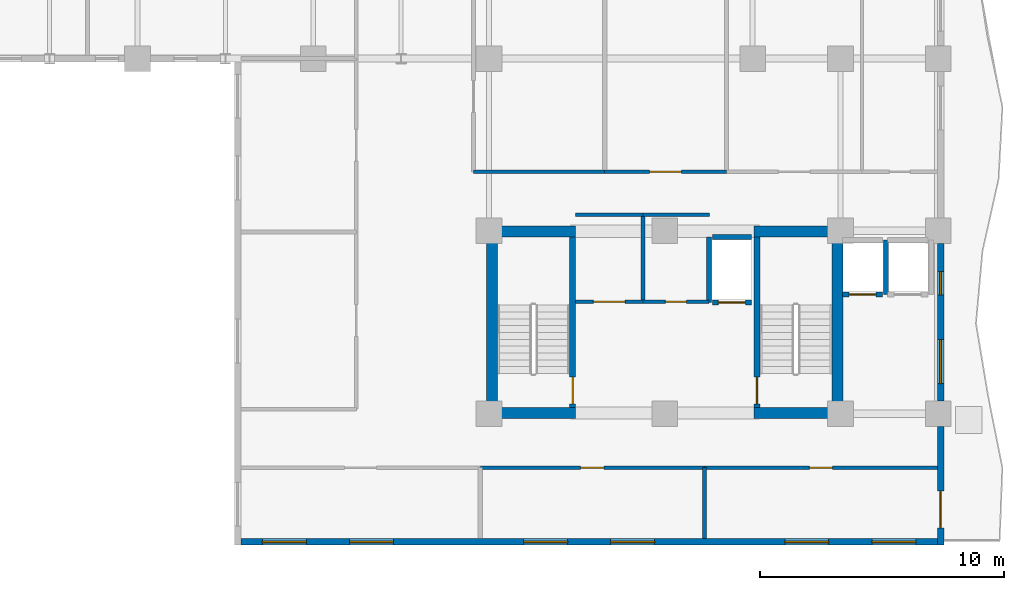
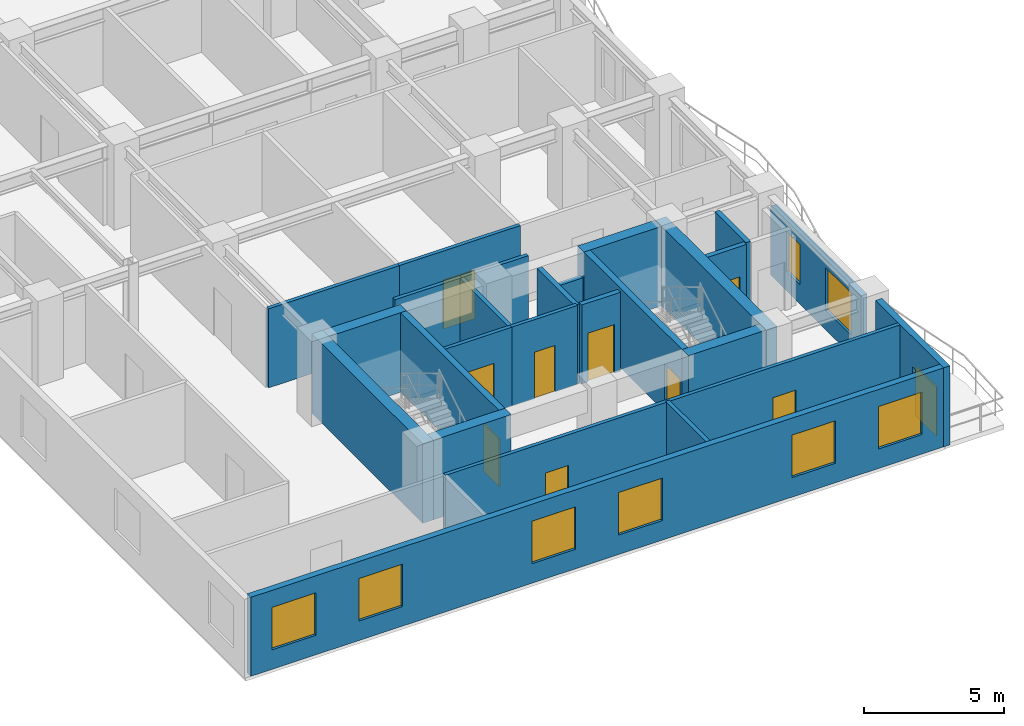
# One storey, part 6 of 13: 26 walls, 10 doors, 8 windows, 18 openings.
"""IFC4 building model written with IfcOpenShell, lengths in metres."""

from ifc_helpers import new_model, si_unit, direction, frame, frame_2d, origin, place, context, subcontext, project, spatial, rectangle, extrude, material, layer, layer_set, type_object, element, fill, save


model = new_model("IFC4")

# Units and contexts
model_context = context("Model", 3, precision=1e-05, world=origin(), true_north=direction((0.0, 1.0)))
body_context = subcontext(model_context, "Body", "Model", "MODEL_VIEW")
ifc_project = project(units=[si_unit("LENGTHUNIT", "METRE"), si_unit("AREAUNIT", "SQUARE_METRE"), si_unit("VOLUMEUNIT", "CUBIC_METRE"), si_unit("PLANEANGLEUNIT", "RADIAN"), si_unit("MASSUNIT", "GRAM", prefix="KILO")], contexts=[model_context])

# Site, building, storey
site_placement = place(None, origin())
site = spatial("IfcSite", under=ifc_project, at=site_placement, CompositionType="ELEMENT")
building_placement = place(site_placement, origin())
building = spatial("IfcBuilding", under=site, at=building_placement, Name="Kaliganga Portal Commons", CompositionType="ELEMENT")
storey_placement = place(building_placement, frame((0.0, 0.0, 162.39990234375)))
storey = spatial("IfcBuildingStorey", under=building, at=storey_placement, Name="L41", CompositionType="ELEMENT", Elevation=162.39990234375)

# Walls
ifc_material_1 = material(Name="Concrete C60/75", Category="concrete")
ifc_layer_1 = layer(ifc_material_1, 0.449951171875)
ifc_layer_set_1 = layer_set([ifc_layer_1], Name="Concrete C60/75")
wall_type_1 = type_object("IfcWallType", Name="WL-CORE-450", PredefinedType="SHEAR", material=ifc_layer_set_1)
for number, where, z_axis, x_axis, name in (
    (1, (36.125, 6.85009765625, 0.0), (0.0, 0.0, 1.0), (0.0, 1.0, 0.0), "Core B West Shear Wall L41"),
    (2, (50.27490234375, 6.85009765625, 0.0), (0.0, 0.0, 1.0), (0.0, 1.0, 0.0), "Core B East Shear Wall L41"),
):
    element("IfcWall", number, at=place(storey_placement, frame(where, z_axis=z_axis, x_axis=x_axis)), inside=storey, type_object=wall_type_1, Name=name, PredefinedType="SHEAR", context=body_context, shape_type="SweptSolid", body=[
        extrude(rectangle(XDim=7.89990234375, YDim=0.449951171875, at=frame_2d((3.949951171875, 0.0))), origin(), (0.0, 0.0, 1.0), 3.460205078125),
    ])
for number, where, z_axis, x_axis, name in (
    (3, (36.35009765625, 7.074951171875, 0.0), (0.0, 0.0, 1.0), (1.0, 0.0, 0.0), "Core B S-West Shear Wall L41"),
    (4, (46.85009765625, 7.074951171875, 0.0), (0.0, 0.0, 1.0), (1.0, 0.0, 0.0), "Core B S-East Shear Wall L41"),
    (5, (36.35009765625, 14.52490234375, 0.0), (0.0, 0.0, 1.0), (1.0, 0.0, 0.0), "Core B N-West Shear Wall L41"),
    (6, (46.85009765625, 14.52490234375, 0.0), (0.0, 0.0, 1.0), (1.0, 0.0, 0.0), "Core B N-East Shear Wall L41"),
):
    element("IfcWall", number, at=place(storey_placement, frame(where, z_axis=z_axis, x_axis=x_axis)), inside=storey, type_object=wall_type_1, Name=name, PredefinedType="SHEAR", context=body_context, shape_type="SweptSolid", body=[
        extrude(rectangle(XDim=3.199951171875, YDim=0.449951171875, at=frame_2d((1.60009765625, 0.0))), origin(), (0.0, 0.0, 1.0), 3.460205078125),
    ])

# Wall, openings, windows
ifc_material_2 = material(Name="Insulated Aluminium-Clad Spandrel Assembly", Category="aluminium")
ifc_layer_2 = layer(ifc_material_2, 0.260009765625)
ifc_layer_set_2 = layer_set([ifc_layer_2], Name="Insulated Aluminium-Clad Spandrel Assembly")
wall_type_2 = type_object("IfcWallType", Name="WL-EXT-SPAND-260", PredefinedType="STANDARD", material=ifc_layer_set_2)
wall_1_placement = place(storey_placement, frame((54.364990234375, 1.800048828125, 0.0), z_axis=(0.0, 0.0, 1.0), x_axis=(-1.0, 0.0, 0.0)))
wall_1 = element("IfcWall", 7, at=wall_1_placement, inside=storey, type_object=wall_type_2, Name="Exterior Envelope Wall L41 P1-E00-S1", PredefinedType="STANDARD", context=body_context, shape_type="SweptSolid", body=[
    extrude(rectangle(XDim=28.530029296875, YDim=0.260009765625, at=frame_2d((14.26513671875, 0.0))), origin(), (0.0, 0.0, 1.0), 3.440185546875),
])
opening_1_placement = place(wall_1_placement, frame((0.883056640625, 0.0, 0.85009765625)))
opening_1 = element("IfcOpeningElement", 8, at=opening_1_placement, cuts=wall_1, Name="Opening W-01", PredefinedType="OPENING", context=body_context, shape_type="SweptSolid", body=[
    extrude(rectangle(XDim=1.800048828125, YDim=1.85009765625, at=frame_2d((0.89990234375, 0.925048828125))), frame((0.0, 0.14013671875, 0.0), z_axis=(0.0, -1.0, 0.0), x_axis=(1.0, 0.0, 0.0)), (0.0, 0.0, 1.0), 0.280029296875),
])
opening_2_placement = place(wall_1_placement, frame((4.449462890625, 0.0, 0.85009765625)))
opening_2 = element("IfcOpeningElement", 9, at=opening_2_placement, cuts=wall_1, Name="Opening W-01", PredefinedType="OPENING", context=body_context, shape_type="SweptSolid", body=[
    extrude(rectangle(XDim=1.800048828125, YDim=1.85009765625, at=frame_2d((0.89990234375, 0.925048828125))), frame((0.0, 0.14013671875, 0.0), z_axis=(0.0, -1.0, 0.0), x_axis=(1.0, 0.0, 0.0)), (0.0, 0.0, 1.0), 0.280029296875),
])
opening_3_placement = place(wall_1_placement, frame((11.581787109375, 0.0, 0.85009765625)))
opening_3 = element("IfcOpeningElement", 10, at=opening_3_placement, cuts=wall_1, Name="Opening W-01", PredefinedType="OPENING", context=body_context, shape_type="SweptSolid", body=[
    extrude(rectangle(XDim=1.800048828125, YDim=1.85009765625, at=frame_2d((0.89990234375, 0.925048828125))), frame((0.0, 0.14013671875, 0.0), z_axis=(0.0, -1.0, 0.0), x_axis=(1.0, 0.0, 0.0)), (0.0, 0.0, 1.0), 0.280029296875),
])
opening_4_placement = place(wall_1_placement, frame((15.148193359375, 0.0, 0.85009765625)))
opening_4 = element("IfcOpeningElement", 11, at=opening_4_placement, cuts=wall_1, Name="Opening W-01", PredefinedType="OPENING", context=body_context, shape_type="SweptSolid", body=[
    extrude(rectangle(XDim=1.800048828125, YDim=1.85009765625, at=frame_2d((0.89990234375, 0.925048828125))), frame((0.0, 0.14013671875, 0.0), z_axis=(0.0, -1.0, 0.0), x_axis=(1.0, 0.0, 0.0)), (0.0, 0.0, 1.0), 0.280029296875),
])
opening_5_placement = place(wall_1_placement, frame((22.280517578125, 0.0, 0.85009765625)))
opening_5 = element("IfcOpeningElement", 12, at=opening_5_placement, cuts=wall_1, Name="Opening W-01", PredefinedType="OPENING", context=body_context, shape_type="SweptSolid", body=[
    extrude(rectangle(XDim=1.800048828125, YDim=1.85009765625, at=frame_2d((0.89990234375, 0.925048828125))), frame((0.0, 0.14013671875, 0.0), z_axis=(0.0, -1.0, 0.0), x_axis=(1.0, 0.0, 0.0)), (0.0, 0.0, 1.0), 0.280029296875),
])
opening_6_placement = place(wall_1_placement, frame((25.846923828125, 0.0, 0.85009765625)))
opening_6 = element("IfcOpeningElement", 13, at=opening_6_placement, cuts=wall_1, Name="Opening W-01", PredefinedType="OPENING", context=body_context, shape_type="SweptSolid", body=[
    extrude(rectangle(XDim=1.800048828125, YDim=1.85009765625, at=frame_2d((0.89990234375, 0.925048828125))), frame((0.0, 0.14013671875, 0.0), z_axis=(0.0, -1.0, 0.0), x_axis=(1.0, 0.0, 0.0)), (0.0, 0.0, 1.0), 0.280029296875),
])
ifc_material_3 = material(Name="Thermally Broken Aluminium and Low-E Double Glazing", Category="aluminium")
window_type_1 = type_object("IfcWindowType", Name="WIN-STD-1800", PartitioningType="DOUBLE_PANEL_VERTICAL", PredefinedType="WINDOW", material=ifc_material_3)
window_1_placement = place(opening_1_placement, origin())
window_1 = element("IfcWindow", 14, at=window_1_placement, inside=storey, type_object=window_type_1, Name="Facade Window L41-P1E00S1-00", OverallHeight=1.85009765625, OverallWidth=1.800048828125, PartitioningType="SINGLE_PANEL", PredefinedType="WINDOW", context=body_context, shape_type="SweptSolid", body=[
    extrude(rectangle(XDim=1.800048828125, YDim=1.85009765625, at=frame_2d((0.89990234375, 0.925048828125))), frame((0.0, 0.030029296875, 0.0), z_axis=(0.0, -1.0, 0.0), x_axis=(1.0, 0.0, 0.0)), (0.0, 0.0, 1.0), 0.06005859375),
])
fill(opening_1, window_1)
window_2_placement = place(opening_2_placement, origin())
window_2 = element("IfcWindow", 15, at=window_2_placement, inside=storey, type_object=window_type_1, Name="Facade Window L41-P1E00S1-01", OverallHeight=1.85009765625, OverallWidth=1.800048828125, PartitioningType="SINGLE_PANEL", PredefinedType="WINDOW", context=body_context, shape_type="SweptSolid", body=[
    extrude(rectangle(XDim=1.800048828125, YDim=1.85009765625, at=frame_2d((0.89990234375, 0.925048828125))), frame((0.0, 0.030029296875, 0.0), z_axis=(0.0, -1.0, 0.0), x_axis=(1.0, 0.0, 0.0)), (0.0, 0.0, 1.0), 0.06005859375),
])
fill(opening_2, window_2)
window_3_placement = place(opening_3_placement, origin())
window_3 = element("IfcWindow", 16, at=window_3_placement, inside=storey, type_object=window_type_1, Name="Facade Window L41-P1E00S1-03", OverallHeight=1.85009765625, OverallWidth=1.800048828125, PartitioningType="SINGLE_PANEL", PredefinedType="WINDOW", context=body_context, shape_type="SweptSolid", body=[
    extrude(rectangle(XDim=1.800048828125, YDim=1.85009765625, at=frame_2d((0.89990234375, 0.925048828125))), frame((0.0, 0.030029296875, 0.0), z_axis=(0.0, -1.0, 0.0), x_axis=(1.0, 0.0, 0.0)), (0.0, 0.0, 1.0), 0.06005859375),
])
fill(opening_3, window_3)
window_4_placement = place(opening_4_placement, origin())
window_4 = element("IfcWindow", 17, at=window_4_placement, inside=storey, type_object=window_type_1, Name="Facade Window L41-P1E00S1-04", OverallHeight=1.85009765625, OverallWidth=1.800048828125, PartitioningType="SINGLE_PANEL", PredefinedType="WINDOW", context=body_context, shape_type="SweptSolid", body=[
    extrude(rectangle(XDim=1.800048828125, YDim=1.85009765625, at=frame_2d((0.89990234375, 0.925048828125))), frame((0.0, 0.030029296875, 0.0), z_axis=(0.0, -1.0, 0.0), x_axis=(1.0, 0.0, 0.0)), (0.0, 0.0, 1.0), 0.06005859375),
])
fill(opening_4, window_4)
window_5_placement = place(opening_5_placement, origin())
window_5 = element("IfcWindow", 18, at=window_5_placement, inside=storey, type_object=window_type_1, Name="Facade Window L41-P1E00S1-06", OverallHeight=1.85009765625, OverallWidth=1.800048828125, PartitioningType="SINGLE_PANEL", PredefinedType="WINDOW", context=body_context, shape_type="SweptSolid", body=[
    extrude(rectangle(XDim=1.800048828125, YDim=1.85009765625, at=frame_2d((0.89990234375, 0.925048828125))), frame((0.0, 0.030029296875, 0.0), z_axis=(0.0, -1.0, 0.0), x_axis=(1.0, 0.0, 0.0)), (0.0, 0.0, 1.0), 0.06005859375),
])
fill(opening_5, window_5)
window_6_placement = place(opening_6_placement, origin())
window_6 = element("IfcWindow", 19, at=window_6_placement, inside=storey, type_object=window_type_1, Name="Facade Window L41-P1E00S1-07", OverallHeight=1.85009765625, OverallWidth=1.800048828125, PartitioningType="SINGLE_PANEL", PredefinedType="WINDOW", context=body_context, shape_type="SweptSolid", body=[
    extrude(rectangle(XDim=1.800048828125, YDim=1.85009765625, at=frame_2d((0.89990234375, 0.925048828125))), frame((0.0, 0.030029296875, 0.0), z_axis=(0.0, -1.0, 0.0), x_axis=(1.0, 0.0, 0.0)), (0.0, 0.0, 1.0), 0.06005859375),
])
fill(opening_6, window_6)

# Wall, opening, door
wall_2_placement = place(storey_placement, frame((54.5, 6.52392578125, 0.0), z_axis=(0.0, 0.0, 1.0), x_axis=(0.0, -1.0, 0.0)))
wall_2 = element("IfcWall", 20, at=wall_2_placement, inside=storey, type_object=wall_type_2, Name="Exterior Envelope Wall L41 P1-E01-S1", PredefinedType="STANDARD", context=body_context, shape_type="SweptSolid", body=[
    extrude(rectangle(XDim=4.85400390625, YDim=0.260009765625, at=frame_2d((2.427001953125, 0.0))), origin(), (0.0, 0.0, 1.0), 3.440185546875),
])
opening_7_placement = place(wall_2_placement, frame((2.64794921875, 0.0, 0.0)))
opening_7 = element("IfcOpeningElement", 21, at=opening_7_placement, cuts=wall_2, Name="Opening BD-01", PredefinedType="OPENING", context=body_context, shape_type="SweptSolid", body=[
    extrude(rectangle(XDim=1.5, YDim=2.14990234375, at=frame_2d((0.75, 1.074951171875))), frame((0.0, 0.14013671875, 0.0), z_axis=(0.0, -1.0, 0.0), x_axis=(1.0, 0.0, 0.0)), (0.0, 0.0, 1.0), 0.280029296875),
])
ifc_material_4 = material(Name="Anodized Aluminium and Laminated Safety Glass", Category="aluminium")
door_type_1 = type_object("IfcDoorType", Name="DR-BALC-1500", OperationType="SLIDING_TO_LEFT", PredefinedType="DOOR", material=ifc_material_4)
door_1_placement = place(opening_7_placement, origin())
door_1 = element("IfcDoor", 22, at=door_1_placement, inside=storey, type_object=door_type_1, Name="Balcony Sliding Door L41 balc_east", OperationType="SLIDING_TO_LEFT", OverallHeight=2.14990234375, OverallWidth=1.5, PredefinedType="DOOR", context=body_context, shape_type="SweptSolid", body=[
    extrude(rectangle(XDim=1.5, YDim=2.14990234375, at=frame_2d((0.75, 1.074951171875))), frame((0.0, 0.02490234375, 0.0), z_axis=(0.0, -1.0, 0.0), x_axis=(1.0, 0.0, 0.0)), (0.0, 0.0, 1.0), 0.050048828125),
])
fill(opening_7, door_1)

# Wall, openings, windows
wall_3_placement = place(storey_placement, frame((54.5, 14.02392578125, 0.0), z_axis=(0.0, 0.0, 1.0), x_axis=(0.0, -1.0, 0.0)))
wall_3 = element("IfcWall", 23, at=wall_3_placement, inside=storey, type_object=wall_type_2, Name="Exterior Envelope Wall L41 P1-E01-S2", PredefinedType="STANDARD", context=body_context, shape_type="SweptSolid", body=[
    extrude(rectangle(XDim=6.447998046875, YDim=0.260009765625, at=frame_2d((3.22412109375, 0.0))), origin(), (0.0, 0.0, 1.0), 2.989990234375),
])
opening_8_placement = place(wall_3_placement, frame((3.93603515625, 0.0, 0.85009765625)))
opening_8 = element("IfcOpeningElement", 24, at=opening_8_placement, cuts=wall_3, Name="Opening W-01", PredefinedType="OPENING", context=body_context, shape_type="SweptSolid", body=[
    extrude(rectangle(XDim=1.800048828125, YDim=1.85009765625, at=frame_2d((0.89990234375, 0.925048828125))), frame((0.0, 0.14013671875, 0.0), z_axis=(0.0, -1.0, 0.0), x_axis=(1.0, 0.0, 0.0)), (0.0, 0.0, 1.0), 0.280029296875),
])
opening_9_placement = place(wall_3_placement, frame((1.14990234375, 0.0, 0.85009765625)))
opening_9 = element("IfcOpeningElement", 25, at=opening_9_placement, cuts=wall_3, Name="Opening W-04", PredefinedType="OPENING", context=body_context, shape_type="SweptSolid", body=[
    extrude(rectangle(XDim=0.949951171875, YDim=1.75, at=frame_2d((0.47509765625, 0.875))), frame((0.0, 0.14013671875, 0.0), z_axis=(0.0, -1.0, 0.0), x_axis=(1.0, 0.0, 0.0)), (0.0, 0.0, 1.0), 0.280029296875),
])
window_type_2 = type_object("IfcWindowType", Name="WIN-NARROW-950", PartitioningType="SINGLE_PANEL", PredefinedType="WINDOW", material=ifc_material_3)
window_7_placement = place(opening_9_placement, origin())
window_7 = element("IfcWindow", 26, at=window_7_placement, inside=storey, type_object=window_type_2, Name="Facade Window L41-P1E01S2-N1", OverallHeight=1.75, OverallWidth=0.949951171875, PartitioningType="SINGLE_PANEL", PredefinedType="WINDOW", context=body_context, shape_type="SweptSolid", body=[
    extrude(rectangle(XDim=0.949951171875, YDim=1.75, at=frame_2d((0.47509765625, 0.875))), frame((0.0, 0.030029296875, 0.0), z_axis=(0.0, -1.0, 0.0), x_axis=(1.0, 0.0, 0.0)), (0.0, 0.0, 1.0), 0.06005859375),
])
fill(opening_9, window_7)
window_8_placement = place(opening_8_placement, origin())
window_8 = element("IfcWindow", 27, at=window_8_placement, inside=storey, type_object=window_type_1, Name="Facade Window L41-P1E01S2-01", OverallHeight=1.85009765625, OverallWidth=1.800048828125, PartitioningType="SINGLE_PANEL", PredefinedType="WINDOW", context=body_context, shape_type="SweptSolid", body=[
    extrude(rectangle(XDim=1.800048828125, YDim=1.85009765625, at=frame_2d((0.89990234375, 0.925048828125))), frame((0.0, 0.030029296875, 0.0), z_axis=(0.0, -1.0, 0.0), x_axis=(1.0, 0.0, 0.0)), (0.0, 0.0, 1.0), 0.06005859375),
])
fill(opening_8, window_8)

# Wall, opening, door
ifc_material_5 = material(Name="Fire-Rated Gypsum Board on Steel Stud", Category="steel")
ifc_layer_3 = layer(ifc_material_5, 0.14990234375)
ifc_layer_set_3 = layer_set([ifc_layer_3], Name="Fire-Rated Gypsum Board on Steel Stud")
wall_type_3 = type_object("IfcWallType", Name="WL-PART-CORR-150", PredefinedType="PARTITIONING", material=ifc_layer_set_3)
wall_4_placement = place(storey_placement, frame((44.820068359375, 4.840087890625, 0.0), z_axis=(0.0, 0.0, 1.0), x_axis=(1.0, 0.0, 0.0)))
wall_4 = element("IfcWall", 28, at=wall_4_placement, inside=storey, type_object=wall_type_3, Name="Interior Partition L41-014", PredefinedType="PARTITIONING", context=body_context, shape_type="SweptSolid", body=[
    extrude(rectangle(XDim=9.5478515625, YDim=0.14990234375, at=frame_2d((4.77392578125, 0.0))), origin(), (0.0, 0.0, 1.0), 3.440185546875),
])
opening_10_placement = place(wall_4_placement, frame((4.299072265625, 0.0, 0.0)))
opening_10 = element("IfcOpeningElement", 29, at=opening_10_placement, cuts=wall_4, Name="Opening UD-01", PredefinedType="OPENING", context=body_context, shape_type="SweptSolid", body=[
    extrude(rectangle(XDim=0.949951171875, YDim=2.10009765625, at=frame_2d((0.47509765625, 1.050048828125))), frame((0.0, 0.0849609375, 0.0), z_axis=(0.0, -1.0, 0.0), x_axis=(1.0, 0.0, 0.0)), (0.0, 0.0, 1.0), 0.169921875),
])
ifc_material_6 = material(Name="Solid-Core Timber Acoustic Fire Door", Category="wood")
door_type_2 = type_object("IfcDoorType", Name="DR-UNIT-950", OperationType="NOTDEFINED", PredefinedType="DOOR", material=ifc_material_6)
door_2_placement = place(opening_10_placement, origin())
door_2 = element("IfcDoor", 30, at=door_2_placement, inside=storey, type_object=door_type_2, Name="Interior Door L41-BS03", OperationType="SINGLE_SWING_RIGHT", OverallHeight=2.10009765625, OverallWidth=0.949951171875, PredefinedType="DOOR", context=body_context, shape_type="SweptSolid", body=[
    extrude(rectangle(XDim=0.949951171875, YDim=2.10009765625, at=frame_2d((0.47509765625, 1.050048828125))), frame((0.0, 0.02490234375, 0.0), z_axis=(0.0, -1.0, 0.0), x_axis=(1.0, 0.0, 0.0)), (0.0, 0.0, 1.0), 0.050048828125),
])
fill(opening_10, door_2)

wall_5_placement = place(storey_placement, frame((35.639892578125, 4.840087890625, 0.0), z_axis=(0.0, 0.0, 1.0), x_axis=(1.0, 0.0, 0.0)))
wall_5 = element("IfcWall", 31, at=wall_5_placement, inside=storey, type_object=wall_type_3, Name="Interior Partition L41-016", PredefinedType="PARTITIONING", context=body_context, shape_type="SweptSolid", body=[
    extrude(rectangle(XDim=9.18017578125, YDim=0.14990234375, at=frame_2d((4.590087890625, 0.0))), origin(), (0.0, 0.0, 1.0), 3.440185546875),
])
opening_11_placement = place(wall_5_placement, frame((4.114990234375, 0.0, 0.0)))
opening_11 = element("IfcOpeningElement", 32, at=opening_11_placement, cuts=wall_5, Name="Opening UD-01", PredefinedType="OPENING", context=body_context, shape_type="SweptSolid", body=[
    extrude(rectangle(XDim=0.949951171875, YDim=2.10009765625, at=frame_2d((0.47509765625, 1.050048828125))), frame((0.0, 0.0849609375, 0.0), z_axis=(0.0, -1.0, 0.0), x_axis=(1.0, 0.0, 0.0)), (0.0, 0.0, 1.0), 0.169921875),
])
door_3_placement = place(opening_11_placement, origin())
door_3 = element("IfcDoor", 33, at=door_3_placement, inside=storey, type_object=door_type_2, Name="Interior Door L41-BS02", OperationType="SINGLE_SWING_RIGHT", OverallHeight=2.10009765625, OverallWidth=0.949951171875, PredefinedType="DOOR", context=body_context, shape_type="SweptSolid", body=[
    extrude(rectangle(XDim=0.949951171875, YDim=2.10009765625, at=frame_2d((0.47509765625, 1.050048828125))), frame((0.0, 0.02490234375, 0.0), z_axis=(0.0, -1.0, 0.0), x_axis=(1.0, 0.0, 0.0)), (0.0, 0.0, 1.0), 0.050048828125),
])
fill(opening_11, door_3)

# Wall
wall_6_placement = place(storey_placement, frame((35.360107421875, 16.9599609375, 0.0), z_axis=(0.0, 0.0, 1.0), x_axis=(1.0, 0.0, 0.0)))
element("IfcWall", 34, at=wall_6_placement, inside=storey, type_object=wall_type_3, Name="Interior Partition L41-033", PredefinedType="PARTITIONING", context=body_context, shape_type="SweptSolid", body=[
    extrude(rectangle(XDim=5.3798828125, YDim=0.14990234375, at=frame_2d((2.68994140625, 0.0))), origin(), (0.0, 0.0, 1.0), 3.440185546875),
])

# Wall, opening, door
wall_7_placement = place(storey_placement, frame((40.739990234375, 16.9599609375, 0.0), z_axis=(0.0, 0.0, 1.0), x_axis=(1.0, 0.0, 0.0)))
wall_7 = element("IfcWall", 35, at=wall_7_placement, inside=storey, type_object=wall_type_3, Name="Interior Partition L41-036", PredefinedType="PARTITIONING", context=body_context, shape_type="SweptSolid", body=[
    extrude(rectangle(XDim=4.97998046875, YDim=0.14990234375, at=frame_2d((2.489990234375, 0.0))), origin(), (0.0, 0.0, 1.0), 3.440185546875),
])
opening_12_placement = place(wall_7_placement, frame((1.840087890625, 0.0, 0.0)))
opening_12 = element("IfcOpeningElement", 36, at=opening_12_placement, cuts=wall_7, Name="Opening RD-03", PredefinedType="OPENING", context=body_context, shape_type="SweptSolid", body=[
    extrude(rectangle(XDim=1.300048828125, YDim=2.1201171875, at=frame_2d((0.64990234375, 1.06005859375))), frame((0.0, 0.0849609375, 0.0), z_axis=(0.0, -1.0, 0.0), x_axis=(1.0, 0.0, 0.0)), (0.0, 0.0, 1.0), 0.169921875),
])
ifc_material_7 = material(Name="Glazed Timber Seminar Vision Door", Category="wood")
door_type_3 = type_object("IfcDoorType", Name="DR-STUDY-1300", OperationType="DOUBLE_DOOR_SINGLE_SWING", PredefinedType="DOOR", material=ifc_material_7)
door_4_placement = place(opening_12_placement, origin())
door_4 = element("IfcDoor", 37, at=door_4_placement, inside=storey, type_object=door_type_3, Name="Interior Door L41-BM02", OperationType="DOUBLE_DOOR_SINGLE_SWING", OverallHeight=2.1201171875, OverallWidth=1.300048828125, PredefinedType="DOOR", context=body_context, shape_type="SweptSolid", body=[
    extrude(rectangle(XDim=1.300048828125, YDim=2.1201171875, at=frame_2d((0.64990234375, 1.06005859375))), frame((0.0, 0.02490234375, 0.0), z_axis=(0.0, -1.0, 0.0), x_axis=(1.0, 0.0, 0.0)), (0.0, 0.0, 1.0), 0.050048828125),
])
fill(opening_12, door_4)

wall_8_placement = place(storey_placement, frame((39.5400390625, 11.639892578125, 0.0), z_axis=(0.0, 0.0, 1.0), x_axis=(1.0, 0.0, 0.0)))
wall_8 = element("IfcWall", 38, at=wall_8_placement, inside=storey, type_object=wall_type_3, Name="Interior Partition L41-054", PredefinedType="PARTITIONING", context=body_context, shape_type="SweptSolid", body=[
    extrude(rectangle(XDim=2.760009765625, YDim=0.14990234375, at=frame_2d((1.3798828125, 0.0))), origin(), (0.0, 0.0, 1.0), 3.440185546875),
])
opening_13_placement = place(wall_8_placement, frame((0.72998046875, 0.0, 0.0)))
opening_13 = element("IfcOpeningElement", 39, at=opening_13_placement, cuts=wall_8, Name="Opening RD-03", PredefinedType="OPENING", context=body_context, shape_type="SweptSolid", body=[
    extrude(rectangle(XDim=1.300048828125, YDim=2.1201171875, at=frame_2d((0.64990234375, 1.06005859375))), frame((0.0, 0.0849609375, 0.0), z_axis=(0.0, -1.0, 0.0), x_axis=(1.0, 0.0, 0.0)), (0.0, 0.0, 1.0), 0.169921875),
])
door_5_placement = place(opening_13_placement, origin())
door_5 = element("IfcDoor", 40, at=door_5_placement, inside=storey, type_object=door_type_3, Name="Interior Door L41-CREC_B1", OperationType="DOUBLE_DOOR_SINGLE_SWING", OverallHeight=2.1201171875, OverallWidth=1.300048828125, PredefinedType="DOOR", context=body_context, shape_type="SweptSolid", body=[
    extrude(rectangle(XDim=1.300048828125, YDim=2.1201171875, at=frame_2d((0.64990234375, 1.06005859375))), frame((0.0, 0.02490234375, 0.0), z_axis=(0.0, -1.0, 0.0), x_axis=(1.0, 0.0, 0.0)), (0.0, 0.0, 1.0), 0.050048828125),
])
fill(opening_13, door_5)

# Wall
wall_9_placement = place(storey_placement, frame((39.5400390625, 15.199951171875, 0.0), z_axis=(0.0, 0.0, 1.0), x_axis=(1.0, 0.0, 0.0)))
element("IfcWall", 41, at=wall_9_placement, inside=storey, type_object=wall_type_3, Name="Interior Partition L41-055", PredefinedType="PARTITIONING", context=body_context, shape_type="SweptSolid", body=[
    extrude(rectangle(XDim=2.760009765625, YDim=0.14990234375, at=frame_2d((1.3798828125, 0.0))), origin(), (0.0, 0.0, 1.0), 3.440185546875),
])

# Wall, opening, door
wall_10_placement = place(storey_placement, frame((42.300048828125, 11.639892578125, 0.0), z_axis=(0.0, 0.0, 1.0), x_axis=(1.0, 0.0, 0.0)))
wall_10 = element("IfcWall", 42, at=wall_10_placement, inside=storey, type_object=wall_type_3, Name="Interior Partition L41-056", PredefinedType="PARTITIONING", context=body_context, shape_type="SweptSolid", body=[
    extrude(rectangle(XDim=2.7099609375, YDim=0.14990234375, at=frame_2d((1.35498046875, 0.0))), origin(), (0.0, 0.0, 1.0), 3.440185546875),
])
opening_14_placement = place(wall_10_placement, frame((0.925048828125, 0.0, 0.0)))
opening_14 = element("IfcOpeningElement", 43, at=opening_14_placement, cuts=wall_10, Name="Opening WD-02", PredefinedType="OPENING", context=body_context, shape_type="SweptSolid", body=[
    extrude(rectangle(XDim=0.860107421875, YDim=2.02001953125, at=frame_2d((0.43017578125, 1.010009765625))), frame((0.0, 0.0849609375, 0.0), z_axis=(0.0, -1.0, 0.0), x_axis=(1.0, 0.0, 0.0)), (0.0, 0.0, 1.0), 0.169921875),
])
ifc_material_8 = material(Name="Fire-Rated Utility Closet Door", Category="wood")
door_type_4 = type_object("IfcDoorType", Name="DR-STORE-800", OperationType="NOTDEFINED", PredefinedType="DOOR", material=ifc_material_8)
door_6_placement = place(opening_14_placement, origin())
door_6 = element("IfcDoor", 44, at=door_6_placement, inside=storey, type_object=door_type_4, Name="Interior Door L41-CREC_B2", OperationType="SINGLE_SWING_LEFT", OverallHeight=2.02001953125, OverallWidth=0.860107421875, PredefinedType="DOOR", context=body_context, shape_type="SweptSolid", body=[
    extrude(rectangle(XDim=0.860107421875, YDim=2.02001953125, at=frame_2d((0.43017578125, 1.010009765625))), frame((0.0, 0.02490234375, 0.0), z_axis=(0.0, -1.0, 0.0), x_axis=(1.0, 0.0, 0.0)), (0.0, 0.0, 1.0), 0.050048828125),
])
fill(opening_14, door_6)

# Walls
wall_11_placement = place(storey_placement, frame((42.300048828125, 15.199951171875, 0.0), z_axis=(0.0, 0.0, 1.0), x_axis=(1.0, 0.0, 0.0)))
element("IfcWall", 45, at=wall_11_placement, inside=storey, type_object=wall_type_3, Name="Interior Partition L41-057", PredefinedType="PARTITIONING", context=body_context, shape_type="SweptSolid", body=[
    extrude(rectangle(XDim=2.739990234375, YDim=0.14990234375, at=frame_2d((1.3701171875, 0.0))), origin(), (0.0, 0.0, 1.0), 3.440185546875),
])
ifc_material_9 = material(Name="Twin-Stud Acoustic Gypsum Partition", Category="gypsum")
ifc_layer_4 = layer(ifc_material_9, 0.1650390625)
ifc_layer_set_4 = layer_set([ifc_layer_4], Name="Twin-Stud Acoustic Gypsum Partition")
wall_type_4 = type_object("IfcWallType", Name="WL-PART-UNIT-165", PredefinedType="PARTITIONING", material=ifc_layer_set_4)
wall_12_placement = place(storey_placement, frame((42.300048828125, 11.639892578125, 0.0), z_axis=(0.0, 0.0, 1.0), x_axis=(0.0, 1.0, 0.0)))
element("IfcWall", 46, at=wall_12_placement, inside=storey, type_object=wall_type_4, Name="Interior Partition L41-087", PredefinedType="PARTITIONING", context=body_context, shape_type="SweptSolid", body=[
    extrude(rectangle(XDim=3.56005859375, YDim=0.1650390625, at=frame_2d((1.780029296875, 0.0))), origin(), (0.0, 0.0, 1.0), 3.440185546875),
])
wall_13_placement = place(storey_placement, frame((44.820068359375, 1.931884765625, 0.0), z_axis=(0.0, 0.0, 1.0), x_axis=(0.0, 1.0, 0.0)))
element("IfcWall", 47, at=wall_13_placement, inside=storey, type_object=wall_type_4, Name="Interior Partition L41-093", PredefinedType="PARTITIONING", context=body_context, shape_type="SweptSolid", body=[
    extrude(rectangle(XDim=2.908203125, YDim=0.1650390625, at=frame_2d((1.4541015625, 0.0))), origin(), (0.0, 0.0, 1.0), 3.440185546875),
])

# Wall, opening, door
ifc_material_10 = material(Name="Fire-Rated Shaftwall Masonry Assembly", Category="masonry")
ifc_layer_5 = layer(ifc_material_10, 0.199951171875)
ifc_layer_set_5 = layer_set([ifc_layer_5], Name="Fire-Rated Shaftwall Masonry Assembly")
wall_type_5 = type_object("IfcWallType", Name="WL-SHAFT-200", PredefinedType="PARTITIONING", material=ifc_layer_set_5)
wall_14_placement = place(storey_placement, frame((50.47509765625, 11.93505859375, 0.0), z_axis=(0.0, 0.0, 1.0), x_axis=(1.0, 0.0, 0.0)))
wall_14 = element("IfcWall", 48, at=wall_14_placement, inside=storey, type_object=wall_type_5, Name="Lift PL-B3 Hoistway Shaft Wall L41-S", PredefinedType="PARTITIONING", context=body_context, shape_type="SweptSolid", body=[
    extrude(rectangle(XDim=1.64990234375, YDim=0.199951171875, at=frame_2d((0.824951171875, 0.0))), origin(), (0.0, 0.0, 1.0), 3.440185546875),
])
opening_15_placement = place(wall_14_placement, frame((0.27490234375, 0.0, 0.0)))
opening_15 = element("IfcOpeningElement", 49, at=opening_15_placement, cuts=wall_14, Name="Opening LD-01", PredefinedType="OPENING", context=body_context, shape_type="SweptSolid", body=[
    extrude(rectangle(XDim=1.10009765625, YDim=2.1201171875, at=frame_2d((0.550048828125, 1.06005859375))), frame((0.0, 0.10986328125, 0.0), z_axis=(0.0, -1.0, 0.0), x_axis=(1.0, 0.0, 0.0)), (0.0, 0.0, 1.0), 0.219970703125),
])
ifc_material_11 = material(Name="Brushed Stainless Steel 316 Lift Landing Door", Category="steel")
door_type_5 = type_object("IfcDoorType", Name="DR-LIFT-1100", OperationType="SLIDING_TO_LEFT", PredefinedType="DOOR", material=ifc_material_11)
door_7_placement = place(opening_15_placement, origin())
door_7 = element("IfcDoor", 50, at=door_7_placement, inside=storey, type_object=door_type_5, Name="Lift PL-B3 Sliding Landing Door L41", OperationType="SLIDING_TO_LEFT", OverallHeight=2.1201171875, OverallWidth=1.10009765625, PredefinedType="DOOR", context=body_context, shape_type="SweptSolid", body=[
    extrude(rectangle(XDim=1.10009765625, YDim=2.1201171875, at=frame_2d((0.550048828125, 1.06005859375))), frame((0.0, 0.02490234375, 0.0), z_axis=(0.0, -1.0, 0.0), x_axis=(1.0, 0.0, 0.0)), (0.0, 0.0, 1.0), 0.050048828125),
])
fill(opening_15, door_7)

# Wall
wall_15_placement = place(storey_placement, frame((52.264892578125, 11.93505859375, 0.0), z_axis=(0.0, 0.0, 1.0), x_axis=(0.0, 1.0, 0.0)))
element("IfcWall", 51, at=wall_15_placement, inside=storey, type_object=wall_type_5, Name="Lift PL-B3 Hoistway Shaft Wall L41-E", PredefinedType="PARTITIONING", context=body_context, shape_type="SweptSolid", body=[
    extrude(rectangle(XDim=2.22998046875, YDim=0.199951171875, at=frame_2d((1.114990234375, 0.0))), origin(), (0.0, 0.0, 1.0), 3.440185546875),
])

# Wall, opening, door
wall_16_placement = place(storey_placement, frame((45.14990234375, 11.610107421875, 0.0), z_axis=(0.0, 0.0, 1.0), x_axis=(1.0, 0.0, 0.0)))
wall_16 = element("IfcWall", 52, at=wall_16_placement, inside=storey, type_object=wall_type_5, Name="Lift SL-B1 Hoistway Shaft Wall L41-S", PredefinedType="PARTITIONING", context=body_context, shape_type="SweptSolid", body=[
    extrude(rectangle(XDim=1.60009765625, YDim=0.199951171875, at=frame_2d((0.800048828125, 0.0))), origin(), (0.0, 0.0, 1.0), 3.440185546875),
])
opening_16_placement = place(wall_16_placement, frame((0.25, 0.0, 0.0)))
opening_16 = element("IfcOpeningElement", 53, at=opening_16_placement, cuts=wall_16, Name="Opening LD-01", PredefinedType="OPENING", context=body_context, shape_type="SweptSolid", body=[
    extrude(rectangle(XDim=1.10009765625, YDim=2.1201171875, at=frame_2d((0.550048828125, 1.06005859375))), frame((0.0, 0.10986328125, 0.0), z_axis=(0.0, -1.0, 0.0), x_axis=(1.0, 0.0, 0.0)), (0.0, 0.0, 1.0), 0.219970703125),
])
door_8_placement = place(opening_16_placement, origin())
door_8 = element("IfcDoor", 54, at=door_8_placement, inside=storey, type_object=door_type_5, Name="Lift SL-B1 Sliding Landing Door L41", OperationType="SLIDING_TO_LEFT", OverallHeight=2.1201171875, OverallWidth=1.10009765625, PredefinedType="DOOR", context=body_context, shape_type="SweptSolid", body=[
    extrude(rectangle(XDim=1.10009765625, YDim=2.1201171875, at=frame_2d((0.550048828125, 1.06005859375))), frame((0.0, 0.02490234375, 0.0), z_axis=(0.0, -1.0, 0.0), x_axis=(1.0, 0.0, 0.0)), (0.0, 0.0, 1.0), 0.050048828125),
])
fill(opening_16, door_8)

# Walls
wall_17_placement = place(storey_placement, frame((45.14990234375, 14.2900390625, 0.0), z_axis=(0.0, 0.0, 1.0), x_axis=(1.0, 0.0, 0.0)))
element("IfcWall", 55, at=wall_17_placement, inside=storey, type_object=wall_type_5, Name="Lift SL-B1 Hoistway Shaft Wall L41-N", PredefinedType="PARTITIONING", context=body_context, shape_type="SweptSolid", body=[
    extrude(rectangle(XDim=1.60009765625, YDim=0.199951171875, at=frame_2d((0.800048828125, 0.0))), origin(), (0.0, 0.0, 1.0), 2.440185546875),
])
wall_18_placement = place(storey_placement, frame((45.010009765625, 11.610107421875, 0.0), z_axis=(0.0, 0.0, 1.0), x_axis=(0.0, 1.0, 0.0)))
element("IfcWall", 56, at=wall_18_placement, inside=storey, type_object=wall_type_5, Name="Lift SL-B1 Hoistway Shaft Wall L41-W", PredefinedType="PARTITIONING", context=body_context, shape_type="SweptSolid", body=[
    extrude(rectangle(XDim=2.679931640625, YDim=0.199951171875, at=frame_2d((1.33984375, 0.0))), origin(), (0.0, 0.0, 1.0), 3.440185546875),
])

# Wall, opening, door
ifc_material_12 = material(Name="Concrete C50/60", Category="concrete")
ifc_layer_6 = layer(ifc_material_12, 0.25)
ifc_layer_set_6 = layer_set([ifc_layer_6], Name="Concrete C50/60")
wall_type_6 = type_object("IfcWallType", Name="WL-STAIR-250", PredefinedType="SHEAR", material=ifc_layer_set_6)
wall_19_placement = place(storey_placement, frame((39.425048828125, 7.300048828125, 0.0), z_axis=(0.0, 0.0, 1.0), x_axis=(0.0, 1.0, 0.0)))
wall_19 = element("IfcWall", 57, at=wall_19_placement, inside=storey, type_object=wall_type_6, Name="Stair B1 Enclosure Shear Wall L41", PredefinedType="SHEAR", context=body_context, shape_type="SweptSolid", body=[
    extrude(rectangle(XDim=7.0, YDim=0.25, at=frame_2d((3.5, 0.0))), origin(), (0.0, 0.0, 1.0), 3.460205078125),
])
opening_17_placement = place(wall_19_placement, frame((0.14990234375, 0.0, 0.0)))
opening_17 = element("IfcOpeningElement", 58, at=opening_17_placement, cuts=wall_19, Name="Opening SD-01", PredefinedType="OPENING", context=body_context, shape_type="SweptSolid", body=[
    extrude(rectangle(XDim=1.10009765625, YDim=2.080078125, at=frame_2d((0.550048828125, 1.0400390625))), frame((0.0, 0.135009765625, 0.0), z_axis=(0.0, -1.0, 0.0), x_axis=(1.0, 0.0, 0.0)), (0.0, 0.0, 1.0), 0.27001953125),
])
ifc_material_13 = material(Name="Galvanized Steel Fire Door Leaf and Frame", Category="steel")
door_type_6 = type_object("IfcDoorType", Name="DR-STAIR-1100", OperationType="NOTDEFINED", PredefinedType="DOOR", material=ifc_material_13)
door_9_placement = place(opening_17_placement, origin())
door_9 = element("IfcDoor", 59, at=door_9_placement, inside=storey, type_object=door_type_6, Name="Protected Stair ST-B1 Fire Door L41", OperationType="SINGLE_SWING_LEFT", OverallHeight=2.080078125, OverallWidth=1.10009765625, PredefinedType="DOOR", context=body_context, shape_type="SweptSolid", body=[
    extrude(rectangle(XDim=1.10009765625, YDim=2.080078125, at=frame_2d((0.550048828125, 1.0400390625))), frame((0.0, 0.02490234375, 0.0), z_axis=(0.0, -1.0, 0.0), x_axis=(1.0, 0.0, 0.0)), (0.0, 0.0, 1.0), 0.050048828125),
])
fill(opening_17, door_9)

wall_20_placement = place(storey_placement, frame((46.97509765625, 7.300048828125, 0.0), z_axis=(0.0, 0.0, 1.0), x_axis=(0.0, 1.0, 0.0)))
wall_20 = element("IfcWall", 60, at=wall_20_placement, inside=storey, type_object=wall_type_6, Name="Stair B2 Enclosure Shear Wall L41", PredefinedType="SHEAR", context=body_context, shape_type="SweptSolid", body=[
    extrude(rectangle(XDim=7.0, YDim=0.25, at=frame_2d((3.5, 0.0))), origin(), (0.0, 0.0, 1.0), 3.460205078125),
])
opening_18_placement = place(wall_20_placement, frame((0.14990234375, 0.0, 0.0)))
opening_18 = element("IfcOpeningElement", 61, at=opening_18_placement, cuts=wall_20, Name="Opening SD-01", PredefinedType="OPENING", context=body_context, shape_type="SweptSolid", body=[
    extrude(rectangle(XDim=1.10009765625, YDim=2.080078125, at=frame_2d((0.550048828125, 1.0400390625))), frame((0.0, 0.135009765625, 0.0), z_axis=(0.0, -1.0, 0.0), x_axis=(1.0, 0.0, 0.0)), (0.0, 0.0, 1.0), 0.27001953125),
])
door_10_placement = place(opening_18_placement, origin())
door_10 = element("IfcDoor", 62, at=door_10_placement, inside=storey, type_object=door_type_6, Name="Protected Stair ST-B2 Fire Door L41", OperationType="SINGLE_SWING_RIGHT", OverallHeight=2.080078125, OverallWidth=1.10009765625, PredefinedType="DOOR", context=body_context, shape_type="SweptSolid", body=[
    extrude(rectangle(XDim=1.10009765625, YDim=2.080078125, at=frame_2d((0.550048828125, 1.0400390625))), frame((0.0, 0.02490234375, 0.0), z_axis=(0.0, -1.0, 0.0), x_axis=(1.0, 0.0, 0.0)), (0.0, 0.0, 1.0), 0.050048828125),
])
fill(opening_18, door_10)

save(model, "model.ifc")
